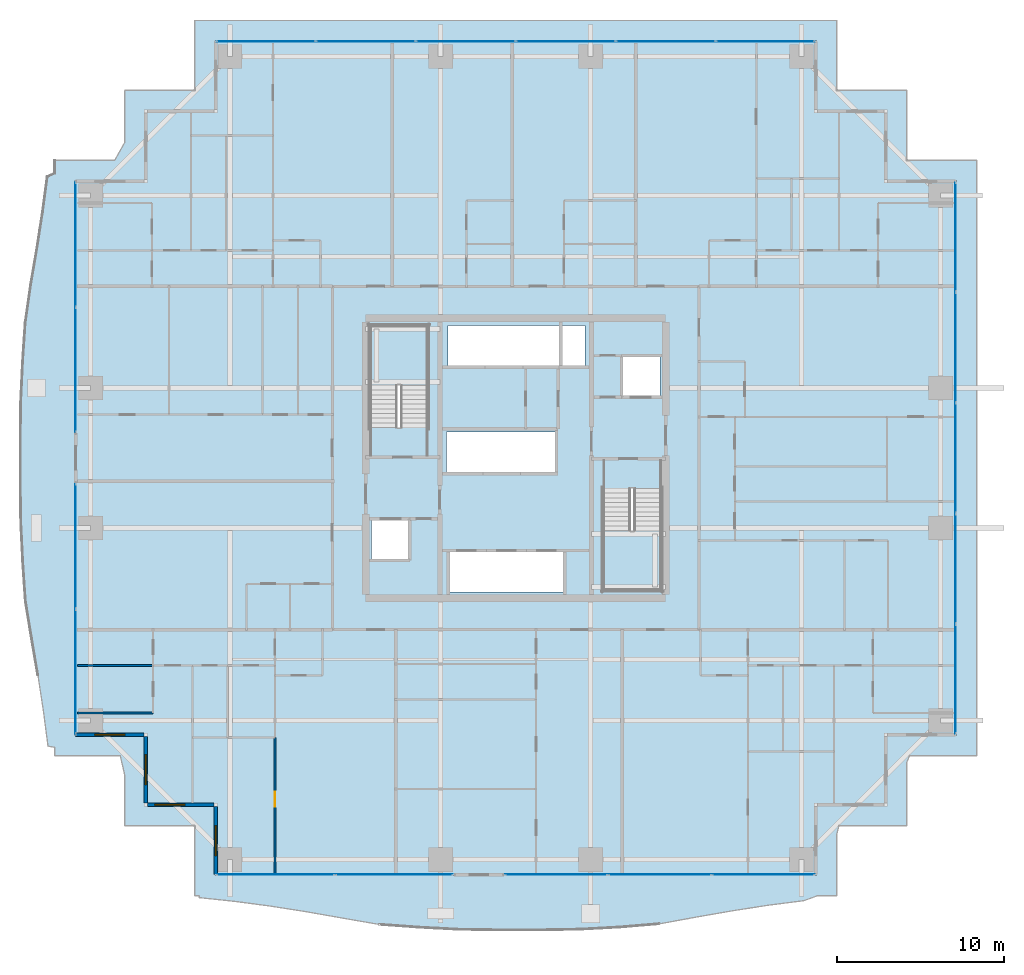
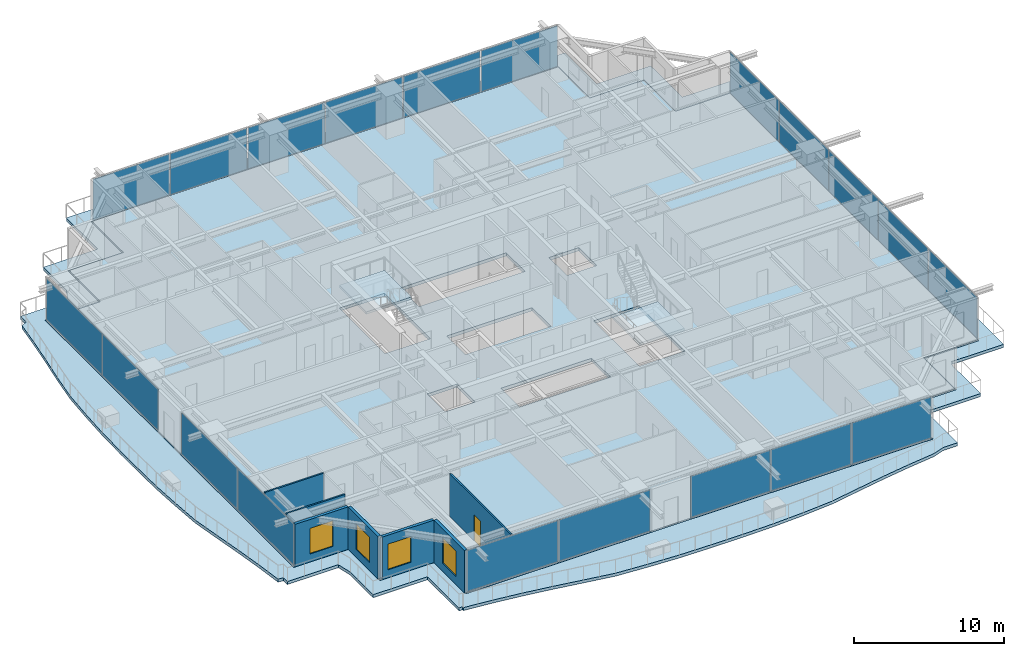
# One storey, part 26 of 41: 20 plates, 7 walls, 4 slabs, 4 windows, 1 door, 5 openings, 8 elements without a shape of their own.
"""IFC4 building model written with IfcOpenShell, lengths in metres."""

from ifc_helpers import new_model, si_unit, direction, frame, frame_2d, origin, origin_2d, place, context, subcontext, project, spatial, polyline, rectangle, outline, extrude, source, transform, mapped, material, layer, layer_set, type_object, element, fill, aggregate, save


model = new_model("IFC4")

# Units and contexts
model_context = context("Model", 3, precision=1e-05, world=origin(), true_north=direction((0.0, 1.0)))
body_context = subcontext(model_context, "Body", "Model", "MODEL_VIEW")
ifc_project = project(units=[si_unit("LENGTHUNIT", "METRE"), si_unit("AREAUNIT", "SQUARE_METRE"), si_unit("VOLUMEUNIT", "CUBIC_METRE"), si_unit("PLANEANGLEUNIT", "RADIAN"), si_unit("MASSUNIT", "GRAM", prefix="KILO")], contexts=[model_context])

# Site, building, storey
site_placement = place(None, origin())
site = spatial("IfcSite", under=ifc_project, at=site_placement, CompositionType="ELEMENT")
building_placement = place(site_placement, origin())
building = spatial("IfcBuilding", under=site, at=building_placement, Name="Serunith Strait Residences", CompositionType="ELEMENT")
storey_placement = place(building_placement, frame((0.0, 0.0, 45.449951171875)))
storey = spatial("IfcBuildingStorey", under=building, at=storey_placement, Name="L10", CompositionType="ELEMENT", Elevation=45.449951171875)

# Slab
ifc_material_1 = material(Name="Concrete C50/60", Category="concrete")
ifc_layer_1 = layer(ifc_material_1, 0.239990234375, Name="Concrete C50/60")
ifc_layer_set_1 = layer_set([ifc_layer_1], Name="Concrete C50/60")
slab_type_1 = type_object("IfcSlabType", Name="SLB-BALC-240", PredefinedType="FLOOR", material=ifc_layer_set_1)
slab_1_placement = place(storey_placement, frame((0.0, 0.0, -0.2900390625)))
element("IfcSlab", 1, at=slab_1_placement, inside=storey, type_object=slab_type_1, Name="L10 Planted Vertical-Forest Balcony Slab", PredefinedType="FLOOR", context=body_context, shape_type="SweptSolid", body=[
    extrude(outline(polyline([(13.139892578125, 3.139892578125), (8.93994140625, 3.139892578125), (8.93994140625, 6.18017578125), (8.674072265625, 7.340087890625), (4.739990234375, 7.340087890625), (4.739990234375, 7.844482421875), (4.337646484375, 7.908935546875), (4.05908203125, 10.03662109375), (3.728759765625, 12.185791015625), (3.35791015625, 14.373291015625), (2.988525390625, 16.62158203125), (2.829345703125, 18.97412109375), (2.712890625, 21.35791015625), (2.679931640625, 23.76318359375), (2.679931640625, 26.1767578125), (2.70751953125, 28.58349609375), (2.8203125, 30.97021484375), (2.9755859375, 33.326904296875), (3.3037109375, 35.5966796875), (3.67724609375, 37.79345703125), (4.0126953125, 39.94921875), (4.298095703125, 42.080810546875), (4.739990234375, 42.282958984375), (4.739990234375, 43.06005859375), (8.3330078125, 43.06005859375), (8.93994140625, 44.125), (8.93994140625, 47.260009765625), (13.139892578125, 47.260009765625), (13.139892578125, 51.4599609375), (51.659912109375, 51.4599609375), (51.659912109375, 47.260009765625), (55.860107421875, 47.260009765625), (55.860107421875, 43.06005859375), (60.06005859375, 43.06005859375), (60.06005859375, 7.340087890625), (56.041259765625, 7.340087890625), (55.860107421875, 6.9423828125), (55.860107421875, 3.139892578125), (51.798095703125, 3.139892578125), (51.659912109375, 2.619140625), (51.659912109375, -1.06005859375), (50.517578125, -1.06005859375), (49.681884765625, -1.360107421875), (47.56005859375, -1.6318359375), (45.419921875, -1.962646484375), (43.2431640625, -2.343994140625), (41.0087890625, -2.7509765625), (38.65869140625, -2.949951171875), (36.264892578125, -3.078857421875), (33.845703125, -3.1201171875), (31.417236328125, -3.1201171875), (28.996337890625, -3.085205078125), (26.598876953125, -2.9609375), (24.23583984375, -2.791259765625), (21.98486328125, -2.40185546875), (19.798828125, -2.016357421875), (17.652587890625, -1.6787109375), (15.527099609375, -1.3994140625), (13.40869140625, -1.1767578125), (13.40966796875, -1.06005859375), (13.139892578125, -1.06005859375), (13.139892578125, 3.139892578125)]), holes=[polyline([(50.455078125, 0.14501953125), (50.455078125, 4.344970703125), (54.655029296875, 4.344970703125), (54.655029296875, 8.544921875), (58.85498046875, 8.544921875), (58.85498046875, 41.85498046875), (54.655029296875, 41.85498046875), (54.655029296875, 46.054931640625), (50.455078125, 46.054931640625), (50.455078125, 50.2548828125), (14.344970703125, 50.2548828125), (14.344970703125, 46.054931640625), (10.14501953125, 46.054931640625), (10.14501953125, 41.85498046875), (5.945068359375, 41.85498046875), (5.945068359375, 8.544921875), (10.14501953125, 8.544921875), (10.14501953125, 4.344970703125), (14.344970703125, 4.344970703125), (14.344970703125, 0.14501953125), (50.455078125, 0.14501953125)])]), origin(), (0.0, 0.0, 1.0), 0.239990234375),
])

# Stair, slab
stair_type_1 = type_object("IfcStairType", Name="STR-CORE-1", PredefinedType="HALF_TURN_STAIR", material=ifc_material_1)
stair_1_placement = place(storey_placement, origin())
stair_1 = element("IfcStair", 2, at=stair_1_placement, inside=storey, type_object=stair_type_1, Name="L10 Protected Escape Stair ST-1", PredefinedType="HALF_TURN_STAIR")
ifc_layer_2 = layer(ifc_material_1, 0.199951171875, Name="Concrete C50/60")
ifc_layer_set_2 = layer_set([ifc_layer_2], Name="Concrete C50/60")
slab_type_2 = type_object("IfcSlabType", Name="SLB-LAND-200", PredefinedType="LANDING", material=ifc_layer_set_2)
slab_2_placement = place(storey_placement, frame((0.0, 0.0, 1.675048828125)))
slab_2 = element("IfcSlab", 3, at=slab_2_placement, type_object=slab_type_2, Name="ST-1 landing 1", PredefinedType="LANDING", context=body_context, shape_type="SweptSolid", body=[
    extrude(outline(polyline([(27.14990234375, 29.550048828125), (27.14990234375, 33.14990234375), (23.64990234375, 33.14990234375), (23.64990234375, 29.550048828125), (27.14990234375, 29.550048828125)])), origin(), (0.0, 0.0, 1.0), 0.199951171875),
])
aggregate(stair_1, [slab_2])

stair_type_2 = type_object("IfcStairType", Name="STR-CORE-2", PredefinedType="HALF_TURN_STAIR", material=ifc_material_1)
stair_2_placement = place(storey_placement, origin())
stair_2 = element("IfcStair", 4, at=stair_2_placement, inside=storey, type_object=stair_type_2, Name="L10 Protected Escape Stair ST-2", PredefinedType="HALF_TURN_STAIR")
slab_3_placement = place(storey_placement, frame((0.0, 0.0, 1.675048828125)))
slab_3 = element("IfcSlab", 5, at=slab_3_placement, type_object=slab_type_2, Name="ST-2 landing 1", PredefinedType="LANDING", context=body_context, shape_type="SweptSolid", body=[
    extrude(outline(polyline([(37.64990234375, 20.85009765625), (37.64990234375, 17.25), (41.14990234375, 17.25), (41.14990234375, 20.85009765625), (37.64990234375, 20.85009765625)])), origin(), (0.0, 0.0, 1.0), 0.199951171875),
])
aggregate(stair_2, [slab_3])

# Slab
ifc_material_2 = material(Name="Concrete C60/75", Category="concrete")
ifc_layer_3 = layer(ifc_material_2, 0.260009765625, Name="Concrete C60/75")
ifc_layer_set_3 = layer_set([ifc_layer_3], Name="Concrete C60/75")
slab_type_3 = type_object("IfcSlabType", Name="SLB-TWR-260-Z1", PredefinedType="FLOOR", material=ifc_layer_set_3)
slab_4_placement = place(storey_placement, frame((0.0, 0.0, -0.260009765625)))
element("IfcSlab", 6, at=slab_4_placement, inside=storey, type_object=slab_type_3, Name="L10 Structural Floor Plate", PredefinedType="FLOOR", context=body_context, shape_type="SweptSolid", body=[
    extrude(outline(polyline([(14.39990234375, 4.39990234375), (10.199951171875, 4.39990234375), (10.199951171875, 8.60009765625), (6.0, 8.60009765625), (6.0, 41.800048828125), (10.199951171875, 41.800048828125), (10.199951171875, 46.0), (14.39990234375, 46.0), (14.39990234375, 50.199951171875), (50.39990234375, 50.199951171875), (50.39990234375, 46.0), (54.60009765625, 46.0), (54.60009765625, 41.800048828125), (58.800048828125, 41.800048828125), (58.800048828125, 8.60009765625), (54.60009765625, 8.60009765625), (54.60009765625, 4.39990234375), (50.39990234375, 4.39990234375), (50.39990234375, 0.199951171875), (14.39990234375, 0.199951171875), (14.39990234375, 4.39990234375)]), holes=[polyline([(41.14990234375, 17.25), (41.14990234375, 23.3701171875), (37.64990234375, 23.3701171875), (37.64990234375, 17.25), (41.14990234375, 17.25)]), polyline([(41.050048828125, 31.25), (38.75, 31.25), (38.75, 28.85009765625), (41.050048828125, 28.85009765625), (41.050048828125, 31.25)]), polyline([(36.550048828125, 33.14990234375), (28.35009765625, 33.14990234375), (28.35009765625, 30.64990234375), (36.550048828125, 30.64990234375), (36.550048828125, 33.14990234375)]), polyline([(28.35009765625, 19.64990234375), (28.35009765625, 17.14990234375), (35.35009765625, 17.14990234375), (35.35009765625, 19.64990234375), (28.35009765625, 19.64990234375)]), polyline([(34.85009765625, 26.75), (28.25, 26.75), (28.25, 24.25), (34.85009765625, 24.25), (34.85009765625, 26.75)]), polyline([(23.64990234375, 33.14990234375), (23.64990234375, 27.030029296875), (27.14990234375, 27.030029296875), (27.14990234375, 33.14990234375), (23.64990234375, 33.14990234375)]), polyline([(26.050048828125, 21.550048828125), (23.75, 21.550048828125), (23.75, 19.14990234375), (26.050048828125, 19.14990234375), (26.050048828125, 21.550048828125)])]), origin(), (0.0, 0.0, 1.0), 0.260009765625),
])

# Curtain wall, plates
ifc_material_3 = material(Name="Pale-Champagne Anodised Aluminium", Category="aluminium")
ifc_layer_4 = layer(ifc_material_3, 0.199951171875, Name="Pale-Champagne Anodised Aluminium")
ifc_layer_set_4 = layer_set([ifc_layer_4], Name="Pale-Champagne Anodised Aluminium")
curtain_wall_type = type_object("IfcCurtainWallType", Name="CW-SYS1", PredefinedType="NOTDEFINED", material=ifc_layer_set_4)
curtain_wall_1_placement = place(storey_placement, origin())
curtain_wall_1 = element("IfcCurtainWall", 7, at=curtain_wall_1_placement, inside=storey, type_object=curtain_wall_type, Name="L10 N Unitised Fritted Curtain Wall", PredefinedType="NOTDEFINED")
ifc_material_4 = material(Name="Ceramic-Fritted Low-E Double Glazing 28mm", Category="glass")
ifc_layer_5 = layer(ifc_material_4, 0.028076171875, Name="Ceramic-Fritted Low-E Double Glazing 28mm")
ifc_layer_set_5 = layer_set([ifc_layer_5], Name="Ceramic-Fritted Low-E Double Glazing 28mm")
plate_type = type_object("IfcPlateType", Name="CW-SYS1-PNL", PredefinedType="CURTAIN_PANEL", material=ifc_layer_set_5)
shared_shape_1 = source(origin(), body_context, "Body", "SweptSolid", [
    extrude(rectangle(XDim=5.89501953125, YDim=0.028076171875, at=origin_2d()), origin(), (0.0, 0.0, 1.0), 3.35498046875),
])
plate_1_placement = place(storey_placement, frame((47.382568359375, 50.199951171875, 0.06005859375), z_axis=(0.0, 0.0, 1.0), x_axis=(-1.0, 0.0, 0.0)))
plate_1 = element("IfcPlate", 8, at=plate_1_placement, type_object=plate_type, Name="CW-1 panel 1.1", PredefinedType="CURTAIN_PANEL", context=body_context, shape_type="MappedRepresentation", body=[
    mapped(shared_shape_1, transform((0.0, 0.0, 0.0), scale=1.0)),
])
plate_2_placement = place(storey_placement, frame((17.41748046875, 50.199951171875, 0.06005859375), z_axis=(0.0, 0.0, 1.0), x_axis=(-1.0, 0.0, 0.0)))
plate_2 = element("IfcPlate", 9, at=plate_2_placement, type_object=plate_type, Name="CW-1 panel 6.1", PredefinedType="CURTAIN_PANEL", context=body_context, shape_type="MappedRepresentation", body=[
    mapped(shared_shape_1, transform((0.0, 0.0, 0.0), scale=1.0)),
])
shared_shape_2 = source(origin(), body_context, "Body", "SweptSolid", [
    extrude(rectangle(XDim=5.929931640625, YDim=0.028076171875, at=origin_2d()), origin(), (0.0, 0.0, 1.0), 3.35498046875),
])
plate_3_placement = place(storey_placement, frame((41.39990234375, 50.199951171875, 0.06005859375), z_axis=(0.0, 0.0, 1.0), x_axis=(-1.0, 0.0, 0.0)))
plate_3 = element("IfcPlate", 10, at=plate_3_placement, type_object=plate_type, Name="CW-1 panel 2.1", PredefinedType="CURTAIN_PANEL", context=body_context, shape_type="MappedRepresentation", body=[
    mapped(shared_shape_2, transform((0.0, 0.0, 0.0), scale=1.0)),
])
plate_4_placement = place(storey_placement, frame((35.39990234375, 50.199951171875, 0.06005859375), z_axis=(0.0, 0.0, 1.0), x_axis=(-1.0, 0.0, 0.0)))
plate_4 = element("IfcPlate", 11, at=plate_4_placement, type_object=plate_type, Name="CW-1 panel 3.1", PredefinedType="CURTAIN_PANEL", context=body_context, shape_type="MappedRepresentation", body=[
    mapped(shared_shape_2, transform((0.0, 0.0, 0.0), scale=1.0)),
])
plate_5_placement = place(storey_placement, frame((29.39990234375, 50.199951171875, 0.06005859375), z_axis=(0.0, 0.0, 1.0), x_axis=(-1.0, 0.0, 0.0)))
plate_5 = element("IfcPlate", 12, at=plate_5_placement, type_object=plate_type, Name="CW-1 panel 4.1", PredefinedType="CURTAIN_PANEL", context=body_context, shape_type="MappedRepresentation", body=[
    mapped(shared_shape_2, transform((0.0, 0.0, 0.0), scale=1.0)),
])
plate_6_placement = place(storey_placement, frame((23.39990234375, 50.199951171875, 0.06005859375), z_axis=(0.0, 0.0, 1.0), x_axis=(-1.0, 0.0, 0.0)))
plate_6 = element("IfcPlate", 13, at=plate_6_placement, type_object=plate_type, Name="CW-1 panel 5.1", PredefinedType="CURTAIN_PANEL", context=body_context, shape_type="MappedRepresentation", body=[
    mapped(shared_shape_2, transform((0.0, 0.0, 0.0), scale=1.0)),
])
aggregate(curtain_wall_1, [plate_1, plate_3, plate_4, plate_5, plate_6, plate_2])

curtain_wall_2_placement = place(storey_placement, origin())
curtain_wall_2 = element("IfcCurtainWall", 14, at=curtain_wall_2_placement, inside=storey, type_object=curtain_wall_type, Name="L10 W Unitised Fritted Curtain Wall", PredefinedType="NOTDEFINED")
shared_shape_3 = source(origin(), body_context, "Body", "SweptSolid", [
    extrude(rectangle(XDim=7.445068359375, YDim=0.028076171875, at=origin_2d()), origin(), (0.0, 0.0, 1.0), 3.35498046875),
])
plate_7_placement = place(storey_placement, frame((6.0, 38.007568359375, 0.06005859375), z_axis=(0.0, 0.0, 1.0), x_axis=(0.0, -1.0, 0.0)))
plate_7 = element("IfcPlate", 15, at=plate_7_placement, type_object=plate_type, Name="CW-1 panel 1.1", PredefinedType="CURTAIN_PANEL", context=body_context, shape_type="MappedRepresentation", body=[
    mapped(shared_shape_3, transform((0.0, 0.0, 0.0), scale=1.0)),
])
plate_8_placement = place(storey_placement, frame((6.0, 30.492431640625, 0.06005859375), z_axis=(0.0, 0.0, 1.0), x_axis=(0.0, -1.0, 0.0)))
plate_8 = element("IfcPlate", 16, at=plate_8_placement, type_object=plate_type, Name="CW-1 panel 2.1", PredefinedType="CURTAIN_PANEL", context=body_context, shape_type="MappedRepresentation", body=[
    mapped(shared_shape_3, transform((0.0, 0.0, 0.0), scale=1.0)),
])
aggregate(curtain_wall_2, [plate_7, plate_8])

curtain_wall_3_placement = place(storey_placement, origin())
curtain_wall_3 = element("IfcCurtainWall", 17, at=curtain_wall_3_placement, inside=storey, type_object=curtain_wall_type, Name="L10 W Unitised Fritted Curtain Wall", PredefinedType="NOTDEFINED")
plate_9_placement = place(storey_placement, frame((6.0, 19.907470703125, 0.06005859375), z_axis=(0.0, 0.0, 1.0), x_axis=(0.0, -1.0, 0.0)))
plate_9 = element("IfcPlate", 18, at=plate_9_placement, type_object=plate_type, Name="CW-1 panel 1.1", PredefinedType="CURTAIN_PANEL", context=body_context, shape_type="MappedRepresentation", body=[
    mapped(shared_shape_3, transform((0.0, 0.0, 0.0), scale=1.0)),
])
plate_10_placement = place(storey_placement, frame((6.0, 12.392578125, 0.06005859375), z_axis=(0.0, 0.0, 1.0), x_axis=(0.0, -1.0, 0.0)))
plate_10 = element("IfcPlate", 19, at=plate_10_placement, type_object=plate_type, Name="CW-1 panel 2.1", PredefinedType="CURTAIN_PANEL", context=body_context, shape_type="MappedRepresentation", body=[
    mapped(shared_shape_3, transform((0.0, 0.0, 0.0), scale=1.0)),
])
aggregate(curtain_wall_3, [plate_9, plate_10])

curtain_wall_4_placement = place(storey_placement, origin())
curtain_wall_4 = element("IfcCurtainWall", 20, at=curtain_wall_4_placement, inside=storey, type_object=curtain_wall_type, Name="L10 E Unitised Fritted Curtain Wall", PredefinedType="NOTDEFINED")
shared_shape_4 = source(origin(), body_context, "Body", "SweptSolid", [
    extrude(rectangle(XDim=6.534912109375, YDim=0.028076171875, at=origin_2d()), origin(), (0.0, 0.0, 1.0), 3.35498046875),
])
plate_11_placement = place(storey_placement, frame((58.800048828125, 11.9375, 0.06005859375), z_axis=(0.0, 0.0, 1.0), x_axis=(0.0, 1.0, 0.0)))
plate_11 = element("IfcPlate", 21, at=plate_11_placement, type_object=plate_type, Name="CW-1 panel 1.1", PredefinedType="CURTAIN_PANEL", context=body_context, shape_type="MappedRepresentation", body=[
    mapped(shared_shape_4, transform((0.0, 0.0, 0.0), scale=1.0)),
])
plate_12_placement = place(storey_placement, frame((58.800048828125, 38.46240234375, 0.06005859375), z_axis=(0.0, 0.0, 1.0), x_axis=(0.0, 1.0, 0.0)))
plate_12 = element("IfcPlate", 22, at=plate_12_placement, type_object=plate_type, Name="CW-1 panel 5.1", PredefinedType="CURTAIN_PANEL", context=body_context, shape_type="MappedRepresentation", body=[
    mapped(shared_shape_4, transform((0.0, 0.0, 0.0), scale=1.0)),
])
shared_shape_5 = source(origin(), body_context, "Body", "SweptSolid", [
    extrude(rectangle(XDim=6.570068359375, YDim=0.028076171875, at=origin_2d()), origin(), (0.0, 0.0, 1.0), 3.35498046875),
])
plate_13_placement = place(storey_placement, frame((58.800048828125, 18.56005859375, 0.06005859375), z_axis=(0.0, 0.0, 1.0), x_axis=(0.0, 1.0, 0.0)))
plate_13 = element("IfcPlate", 23, at=plate_13_placement, type_object=plate_type, Name="CW-1 panel 2.1", PredefinedType="CURTAIN_PANEL", context=body_context, shape_type="MappedRepresentation", body=[
    mapped(shared_shape_5, transform((0.0, 0.0, 0.0), scale=1.0)),
])
plate_14_placement = place(storey_placement, frame((58.800048828125, 25.199951171875, 0.06005859375), z_axis=(0.0, 0.0, 1.0), x_axis=(0.0, 1.0, 0.0)))
plate_14 = element("IfcPlate", 24, at=plate_14_placement, type_object=plate_type, Name="CW-1 panel 3.1", PredefinedType="CURTAIN_PANEL", context=body_context, shape_type="MappedRepresentation", body=[
    mapped(shared_shape_5, transform((0.0, 0.0, 0.0), scale=1.0)),
])
plate_15_placement = place(storey_placement, frame((58.800048828125, 31.840087890625, 0.06005859375), z_axis=(0.0, 0.0, 1.0), x_axis=(0.0, 1.0, 0.0)))
plate_15 = element("IfcPlate", 25, at=plate_15_placement, type_object=plate_type, Name="CW-1 panel 4.1", PredefinedType="CURTAIN_PANEL", context=body_context, shape_type="MappedRepresentation", body=[
    mapped(shared_shape_5, transform((0.0, 0.0, 0.0), scale=1.0)),
])
aggregate(curtain_wall_4, [plate_11, plate_13, plate_14, plate_15, plate_12])

curtain_wall_5_placement = place(storey_placement, origin())
curtain_wall_5 = element("IfcCurtainWall", 26, at=curtain_wall_5_placement, inside=storey, type_object=curtain_wall_type, Name="L10 S Unitised Fritted Curtain Wall", PredefinedType="NOTDEFINED")
shared_shape_6 = source(origin(), body_context, "Body", "SweptSolid", [
    extrude(rectangle(XDim=7.044921875, YDim=0.028076171875, at=origin_2d()), origin(), (0.0, 0.0, 1.0), 3.35498046875),
])
plate_16_placement = place(storey_placement, frame((17.992431640625, 0.199951171875, 0.06005859375), z_axis=(0.0, 0.0, 1.0), x_axis=(1.0, 0.0, 0.0)))
plate_16 = element("IfcPlate", 27, at=plate_16_placement, type_object=plate_type, Name="CW-1 panel 1.1", PredefinedType="CURTAIN_PANEL", context=body_context, shape_type="MappedRepresentation", body=[
    mapped(shared_shape_6, transform((0.0, 0.0, 0.0), scale=1.0)),
])
plate_17_placement = place(storey_placement, frame((25.107421875, 0.199951171875, 0.06005859375), z_axis=(0.0, 0.0, 1.0), x_axis=(1.0, 0.0, 0.0)))
plate_17 = element("IfcPlate", 28, at=plate_17_placement, type_object=plate_type, Name="CW-1 panel 2.1", PredefinedType="CURTAIN_PANEL", context=body_context, shape_type="MappedRepresentation", body=[
    mapped(shared_shape_6, transform((0.0, 0.0, 0.0), scale=1.0)),
])
aggregate(curtain_wall_5, [plate_16, plate_17])

curtain_wall_6_placement = place(storey_placement, origin())
curtain_wall_6 = element("IfcCurtainWall", 29, at=curtain_wall_6_placement, inside=storey, type_object=curtain_wall_type, Name="L10 S Unitised Fritted Curtain Wall", PredefinedType="NOTDEFINED")
shared_shape_7 = source(origin(), body_context, "Body", "SweptSolid", [
    extrude(rectangle(XDim=6.12841796875, YDim=0.028076171875, at=origin_2d()), origin(), (0.0, 0.0, 1.0), 3.35498046875),
])
plate_18_placement = place(storey_placement, frame((34.834228515625, 0.199951171875, 0.06005859375), z_axis=(0.0, 0.0, 1.0), x_axis=(1.0, 0.0, 0.0)))
plate_18 = element("IfcPlate", 30, at=plate_18_placement, type_object=plate_type, Name="CW-1 panel 1.1", PredefinedType="CURTAIN_PANEL", context=body_context, shape_type="MappedRepresentation", body=[
    mapped(shared_shape_7, transform((0.0, 0.0, 0.0), scale=1.0)),
])
plate_19_placement = place(storey_placement, frame((47.265869140625, 0.199951171875, 0.06005859375), z_axis=(0.0, 0.0, 1.0), x_axis=(1.0, 0.0, 0.0)))
plate_19 = element("IfcPlate", 31, at=plate_19_placement, type_object=plate_type, Name="CW-1 panel 3.1", PredefinedType="CURTAIN_PANEL", context=body_context, shape_type="MappedRepresentation", body=[
    mapped(shared_shape_7, transform((0.0, 0.0, 0.0), scale=1.0)),
])
shared_shape_8 = source(origin(), body_context, "Body", "SweptSolid", [
    extrude(rectangle(XDim=6.163330078125, YDim=0.028076171875, at=origin_2d()), origin(), (0.0, 0.0, 1.0), 3.35498046875),
])
plate_20_placement = place(storey_placement, frame((41.050048828125, 0.199951171875, 0.06005859375), z_axis=(0.0, 0.0, 1.0), x_axis=(1.0, 0.0, 0.0)))
plate_20 = element("IfcPlate", 32, at=plate_20_placement, type_object=plate_type, Name="CW-1 panel 2.1", PredefinedType="CURTAIN_PANEL", context=body_context, shape_type="MappedRepresentation", body=[
    mapped(shared_shape_8, transform((0.0, 0.0, 0.0), scale=1.0)),
])
aggregate(curtain_wall_6, [plate_18, plate_20, plate_19])

# Wall, opening, window
ifc_material_5 = material(Name="Pale-Champagne Aluminium Insulated Panel", Category="aluminium")
ifc_layer_6 = layer(ifc_material_5, 0.219970703125, Name="Pale-Champagne Aluminium Insulated Panel")
ifc_layer_set_6 = layer_set([ifc_layer_6], Name="Pale-Champagne Aluminium Insulated Panel")
wall_type_1 = type_object("IfcWallType", Name="EW-ALUM-220", PredefinedType="ELEMENTEDWALL", material=ifc_layer_set_6)
wall_1_placement = place(storey_placement, frame((6.0, 8.60009765625, 0.0), z_axis=(0.0, 0.0, 1.0), x_axis=(1.0, 0.0, 0.0)))
wall_1 = element("IfcWall", 33, at=wall_1_placement, inside=storey, type_object=wall_type_1, Name="L10 Girih Serrated Corner Wall 17", PredefinedType="ELEMENTEDWALL", context=body_context, shape_type="SweptSolid", body=[
    extrude(rectangle(XDim=4.090087890625, YDim=0.219970703125, at=frame_2d((2.044921875, 0.0))), origin(), (0.0, 0.0, 1.0), 3.47509765625),
])
opening_1_placement = place(wall_1_placement, frame((1.14501953125, 0.0, 0.64990234375)))
opening_1 = element("IfcOpeningElement", 34, at=opening_1_placement, cuts=wall_1, Name="Opening W-01", PredefinedType="OPENING", context=body_context, shape_type="SweptSolid", body=[
    extrude(rectangle(XDim=1.800048828125, YDim=2.10009765625, at=frame_2d((0.89990234375, 1.050048828125))), frame((0.0, 0.1201171875, 0.0), z_axis=(0.0, -1.0, 0.0), x_axis=(1.0, 0.0, 0.0)), (0.0, 0.0, 1.0), 0.239990234375),
])
ifc_material_6 = material(Name="Ceramic-Fritted Operable Aluminium Window Glass", Category="aluminium")
window_type = type_object("IfcWindowType", Name="WIN-C1", PartitioningType="DOUBLE_PANEL_VERTICAL", PredefinedType="WINDOW", material=ifc_material_6)
shared_shape_9 = source(origin(), body_context, "Body", "SweptSolid", [
    extrude(rectangle(XDim=1.800048828125, YDim=2.10009765625, at=frame_2d((0.89990234375, 1.050048828125))), frame((0.0, 0.030029296875, 0.0), z_axis=(0.0, -1.0, 0.0), x_axis=(1.0, 0.0, 0.0)), (0.0, 0.0, 1.0), 0.06005859375),
])
window_1_placement = place(opening_1_placement, origin())
window_1 = element("IfcWindow", 35, at=window_1_placement, inside=storey, type_object=window_type, Name="L10 Corner Operable Fritted Window 17", OverallHeight=2.10009765625, OverallWidth=1.800048828125, PartitioningType="SINGLE_PANEL", PredefinedType="WINDOW", context=body_context, shape_type="MappedRepresentation", body=[
    mapped(shared_shape_9, transform((0.0, 0.0, 0.0), scale=1.0)),
])
fill(opening_1, window_1)

wall_2_placement = place(storey_placement, frame((10.199951171875, 8.489990234375, 0.0), z_axis=(0.0, 0.0, 1.0), x_axis=(0.0, -1.0, 0.0)))
wall_2 = element("IfcWall", 36, at=wall_2_placement, inside=storey, type_object=wall_type_1, Name="L10 Girih Serrated Corner Wall 18", PredefinedType="ELEMENTEDWALL", context=body_context, shape_type="SweptSolid", body=[
    extrude(rectangle(XDim=3.97998046875, YDim=0.219970703125, at=frame_2d((1.989990234375, 0.0))), origin(), (0.0, 0.0, 1.0), 3.47509765625),
])
opening_2_placement = place(wall_2_placement, frame((1.090087890625, 0.0, 0.64990234375)))
opening_2 = element("IfcOpeningElement", 37, at=opening_2_placement, cuts=wall_2, Name="Opening W-01", PredefinedType="OPENING", context=body_context, shape_type="SweptSolid", body=[
    extrude(rectangle(XDim=1.800048828125, YDim=2.10009765625, at=frame_2d((0.89990234375, 1.050048828125))), frame((0.0, 0.1201171875, 0.0), z_axis=(0.0, -1.0, 0.0), x_axis=(1.0, 0.0, 0.0)), (0.0, 0.0, 1.0), 0.239990234375),
])
window_2_placement = place(opening_2_placement, origin())
window_2 = element("IfcWindow", 38, at=window_2_placement, inside=storey, type_object=window_type, Name="L10 Corner Operable Fritted Window 18", OverallHeight=2.10009765625, OverallWidth=1.800048828125, PartitioningType="SINGLE_PANEL", PredefinedType="WINDOW", context=body_context, shape_type="MappedRepresentation", body=[
    mapped(shared_shape_9, transform((0.0, 0.0, 0.0), scale=1.0)),
])
fill(opening_2, window_2)

wall_3_placement = place(storey_placement, frame((10.31005859375, 4.39990234375, 0.0), z_axis=(0.0, 0.0, 1.0), x_axis=(1.0, 0.0, 0.0)))
wall_3 = element("IfcWall", 39, at=wall_3_placement, inside=storey, type_object=wall_type_1, Name="L10 Girih Serrated Corner Wall 19", PredefinedType="ELEMENTEDWALL", context=body_context, shape_type="SweptSolid", body=[
    extrude(rectangle(XDim=3.97998046875, YDim=0.219970703125, at=frame_2d((1.989990234375, 0.0))), origin(), (0.0, 0.0, 1.0), 3.47509765625),
])
opening_3_placement = place(wall_3_placement, frame((0.43603515625, 0.0, 0.64990234375)))
opening_3 = element("IfcOpeningElement", 40, at=opening_3_placement, cuts=wall_3, Name="Opening W-01", PredefinedType="OPENING", context=body_context, shape_type="SweptSolid", body=[
    extrude(rectangle(XDim=1.800048828125, YDim=2.10009765625, at=frame_2d((0.89990234375, 1.050048828125))), frame((0.0, 0.1201171875, 0.0), z_axis=(0.0, -1.0, 0.0), x_axis=(1.0, 0.0, 0.0)), (0.0, 0.0, 1.0), 0.239990234375),
])
window_3_placement = place(opening_3_placement, origin())
window_3 = element("IfcWindow", 41, at=window_3_placement, inside=storey, type_object=window_type, Name="L10 Corner Operable Fritted Window 19", OverallHeight=2.10009765625, OverallWidth=1.800048828125, PartitioningType="SINGLE_PANEL", PredefinedType="WINDOW", context=body_context, shape_type="MappedRepresentation", body=[
    mapped(shared_shape_9, transform((0.0, 0.0, 0.0), scale=1.0)),
])
fill(opening_3, window_3)

wall_4_placement = place(storey_placement, frame((14.39990234375, 4.2900390625, 0.0), z_axis=(0.0, 0.0, 1.0), x_axis=(0.0, -1.0, 0.0)))
wall_4 = element("IfcWall", 42, at=wall_4_placement, inside=storey, type_object=wall_type_1, Name="L10 Girih Serrated Corner Wall 20", PredefinedType="ELEMENTEDWALL", context=body_context, shape_type="SweptSolid", body=[
    extrude(rectangle(XDim=4.090087890625, YDim=0.219970703125, at=frame_2d((2.044921875, 0.0))), origin(), (0.0, 0.0, 1.0), 3.47509765625),
])
opening_4_placement = place(wall_4_placement, frame((1.14501953125, 0.0, 0.64990234375)))
opening_4 = element("IfcOpeningElement", 43, at=opening_4_placement, cuts=wall_4, Name="Opening W-01", PredefinedType="OPENING", context=body_context, shape_type="SweptSolid", body=[
    extrude(rectangle(XDim=1.800048828125, YDim=2.10009765625, at=frame_2d((0.89990234375, 1.050048828125))), frame((0.0, 0.1201171875, 0.0), z_axis=(0.0, -1.0, 0.0), x_axis=(1.0, 0.0, 0.0)), (0.0, 0.0, 1.0), 0.239990234375),
])
window_4_placement = place(opening_4_placement, origin())
window_4 = element("IfcWindow", 44, at=window_4_placement, inside=storey, type_object=window_type, Name="L10 Corner Operable Fritted Window 20", OverallHeight=2.10009765625, OverallWidth=1.800048828125, PartitioningType="SINGLE_PANEL", PredefinedType="WINDOW", context=body_context, shape_type="MappedRepresentation", body=[
    mapped(shared_shape_9, transform((0.0, 0.0, 0.0), scale=1.0)),
])
fill(opening_4, window_4)

# Wall, opening, door
ifc_material_7 = material(Name="Lightweight steel-stud gypsum partition", Category="steel")
ifc_layer_7 = layer(ifc_material_7, 0.1201171875, Name="Lightweight steel-stud gypsum partition")
ifc_layer_set_7 = layer_set([ifc_layer_7], Name="Lightweight steel-stud gypsum partition")
wall_type_2 = type_object("IfcWallType", Name="IW-PART-120", PredefinedType="PARTITIONING", material=ifc_layer_set_7)
wall_5_placement = place(storey_placement, frame((17.9599609375, 0.294921875, 0.0), z_axis=(0.0, 0.0, 1.0), x_axis=(0.0, 1.0, 0.0)))
wall_5 = element("IfcWall", 45, at=wall_5_placement, inside=storey, type_object=wall_type_2, Name="L10 Partition Wall 032", PredefinedType="PARTITIONING", context=body_context, shape_type="SweptSolid", body=[
    extrude(rectangle(XDim=8.129150390625, YDim=0.1201171875, at=frame_2d((4.064453125, 0.0))), origin(), (0.0, 0.0, 1.0), 3.489990234375),
])
opening_5_placement = place(wall_5_placement, frame((3.97607421875, 0.0, 0.0)))
opening_5 = element("IfcOpeningElement", 46, at=opening_5_placement, cuts=wall_5, Name="Opening D-RM900", PredefinedType="OPENING", context=body_context, shape_type="SweptSolid", body=[
    extrude(rectangle(XDim=0.89990234375, YDim=2.10009765625, at=frame_2d((0.449951171875, 1.050048828125))), frame((0.0, 0.070068359375, 0.0), z_axis=(0.0, -1.0, 0.0), x_axis=(1.0, 0.0, 0.0)), (0.0, 0.0, 1.0), 0.14013671875),
])
ifc_material_8 = material(Name="Engineered timber flush bedroom door", Category="wood")
door_type = type_object("IfcDoorType", Name="ID-ROOM-900", OperationType="NOTDEFINED", PredefinedType="DOOR", material=ifc_material_8)
shared_shape_10 = source(origin(), body_context, "Body", "SweptSolid", [
    extrude(rectangle(XDim=0.89990234375, YDim=2.10009765625, at=frame_2d((0.449951171875, 1.050048828125))), frame((0.0, 0.02490234375, 0.0), z_axis=(0.0, -1.0, 0.0), x_axis=(1.0, 0.0, 0.0)), (0.0, 0.0, 1.0), 0.050048828125),
])
door_placement = place(opening_5_placement, origin())
door = element("IfcDoor", 47, at=door_placement, inside=storey, type_object=door_type, Name="L10 Formal Dining Room 1 1001 Door", OperationType="SINGLE_SWING_RIGHT", OverallHeight=2.10009765625, OverallWidth=0.89990234375, PredefinedType="DOOR", context=body_context, shape_type="MappedRepresentation", body=[
    mapped(shared_shape_10, transform((0.0, 0.0, 0.0), scale=1.0)),
])
fill(opening_5, door)

# Walls
wall_6_placement = place(storey_placement, frame((6.094970703125, 9.89404296875, 0.0), z_axis=(0.0, 0.0, 1.0), x_axis=(1.0, 0.0, 0.0)))
element("IfcWall", 48, at=wall_6_placement, inside=storey, type_object=wall_type_2, Name="L10 Partition Wall 040", PredefinedType="PARTITIONING", context=body_context, shape_type="SweptSolid", body=[
    extrude(rectangle(XDim=4.554931640625, YDim=0.1201171875, at=frame_2d((2.27734375, 0.0))), origin(), (0.0, 0.0, 1.0), 3.489990234375),
])
wall_7_placement = place(storey_placement, frame((6.094970703125, 12.75, 0.0), z_axis=(0.0, 0.0, 1.0), x_axis=(1.0, 0.0, 0.0)))
element("IfcWall", 49, at=wall_7_placement, inside=storey, type_object=wall_type_2, Name="L10 Partition Wall 041", PredefinedType="PARTITIONING", context=body_context, shape_type="SweptSolid", body=[
    extrude(rectangle(XDim=4.552978515625, YDim=0.1201171875, at=frame_2d((2.2763671875, 0.0))), origin(), (0.0, 0.0, 1.0), 3.489990234375),
])

save(model, "model.ifc")
